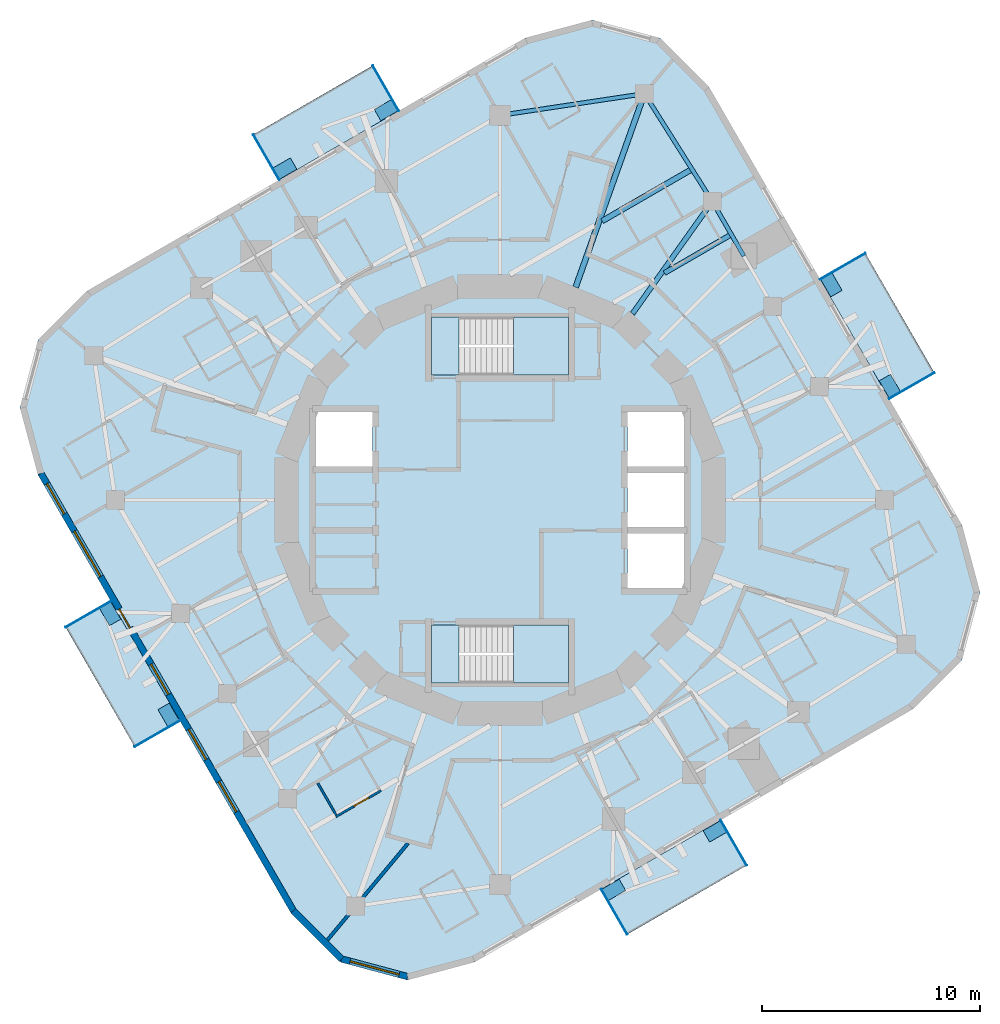
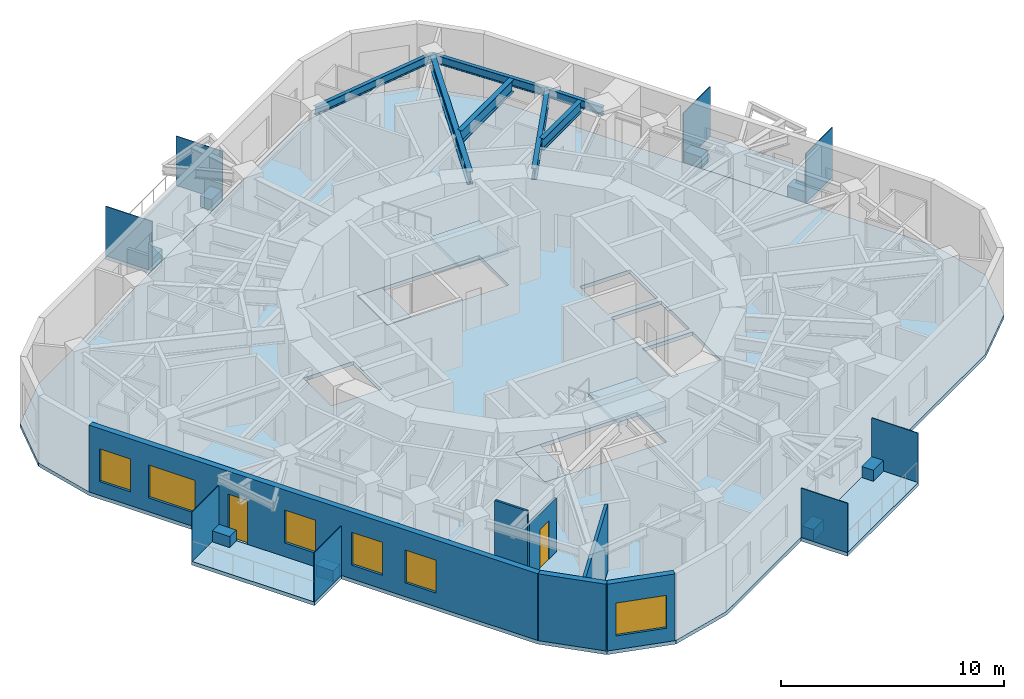
# One storey, part 3 of 11: 16 plates, 9 slabs, 7 beams, 6 walls, 6 windows, 2 doors, 8 openings, 2 elements without a shape of their own.
"""IFC4 building model written with IfcOpenShell, lengths in metres."""

from ifc_helpers import new_model, si_unit, direction, frame, frame_2d, origin, origin_2d, place, context, subcontext, project, spatial, polyline, rectangle, i_section, outline, extrude, material, layer, layer_set, material_profile, profile_set, type_object, element, fill, aggregate, save


model = new_model("IFC4")

# Units and contexts
model_context = context("Model", 3, precision=1e-05, world=origin(), true_north=direction((0.0, 1.0)))
body_context = subcontext(model_context, "Body", "Model", "MODEL_VIEW")
ifc_project = project(units=[si_unit("LENGTHUNIT", "METRE"), si_unit("AREAUNIT", "SQUARE_METRE"), si_unit("VOLUMEUNIT", "CUBIC_METRE"), si_unit("PLANEANGLEUNIT", "RADIAN"), si_unit("MASSUNIT", "GRAM", prefix="KILO")], contexts=[model_context])

# Site, building, storey
site_placement = place(None, origin())
site = spatial("IfcSite", under=ifc_project, at=site_placement, CompositionType="ELEMENT")
building_placement = place(site_placement, origin())
building = spatial("IfcBuilding", under=site, at=building_placement, Name="Nakasero Lantern House", CompositionType="ELEMENT")
storey_placement = place(building_placement, frame((0.0, 0.0, 246.199951171875)))
storey = spatial("IfcBuildingStorey", under=building, at=storey_placement, Name="L60", CompositionType="ELEMENT", Elevation=246.199951171875)

# Beams
ifc_material_1 = material(Name="Steel S355", Category="steel")
ifc_material_profile_1 = material_profile(ifc_material_1, i_section(OverallWidth=0.22900390625, OverallDepth=0.6123046875, WebThickness=0.011962890625, FlangeThickness=0.01953125, FilletRadius=0.0126953125, at=origin_2d()), Name="UB 610x229x125")
ifc_profile_set_1 = profile_set([ifc_material_profile_1], Name="Steel S355")
beam_type_1 = type_object("IfcBeamType", Name="Infill beam UB 610x229x125", PredefinedType="JOIST", material=ifc_profile_set_1)
beam_1_placement = place(storey_placement, frame((7.552001953125, 10.42236328125, 3.343994140625), z_axis=(0.866006607564, 0.500032554596, 0.0), x_axis=(-0.500032554596, 0.866006607564, 0.0)))
element("IfcBeam", 1, at=beam_1_placement, inside=storey, type_object=beam_type_1, Name="Infill beam L61 08.3", PredefinedType="JOIST", context=body_context, shape_type="SweptSolid", body=[
    extrude(i_section(OverallWidth=0.22900390625, OverallDepth=0.6123046875, WebThickness=0.011962890625, FlangeThickness=0.01953125, FilletRadius=0.0126953125, at=origin_2d()), origin(), (0.0, 0.0, 1.0), 3.452880859375),
])
ifc_material_2 = material(Name="Steel S355", Category="steel")
ifc_material_profile_2 = material_profile(ifc_material_2, i_section(OverallWidth=0.253662109375, OverallDepth=0.68359375, WebThickness=0.012451171875, FlangeThickness=0.01904296875, FilletRadius=0.01513671875, at=origin_2d()), Name="UB 686x254x140")
ifc_profile_set_2 = profile_set([ifc_material_profile_2], Name="Steel S355")
beam_type_2 = type_object("IfcBeamType", Name="Infill beam UB 686x254x140", PredefinedType="JOIST", material=ifc_profile_set_2)
beam_2_placement = place(storey_placement, frame((4.691162109375, 12.81201171875, 3.308349609375), z_axis=(0.866030607649, 0.499990986534, 0.0), x_axis=(-0.499990986534, 0.866030607649, 0.0)))
element("IfcBeam", 2, at=beam_2_placement, inside=storey, type_object=beam_type_2, Name="Infill beam L61 09.3", PredefinedType="JOIST", context=body_context, shape_type="SweptSolid", body=[
    extrude(i_section(OverallWidth=0.253662109375, OverallDepth=0.68359375, WebThickness=0.012451171875, FlangeThickness=0.01904296875, FilletRadius=0.01513671875, at=origin_2d()), origin(), (0.0, 0.0, 1.0), 4.66943359375),
])
ifc_material_3 = material(Name="Steel S355", Category="steel")
ifc_material_profile_3 = material_profile(ifc_material_3, i_section(OverallWidth=0.22900390625, OverallDepth=0.6123046875, WebThickness=0.011962890625, FlangeThickness=0.01953125, FilletRadius=0.0126953125, at=origin_2d()), Name="UB 610x229x125")
ifc_profile_set_3 = profile_set([ifc_material_profile_3], Name="Steel S355")
beam_type_3 = type_object("IfcBeamType", Name="Primary beam UB 610x229x125, span 6 to 9 m", PredefinedType="BEAM", material=ifc_profile_set_3)
beam_3_placement = place(storey_placement, frame((9.75048828125, 13.711669921875, 3.343994140625), z_axis=(-0.579504973637, -0.814968702178, 0.0), x_axis=(0.814968702178, -0.579504973637, 0.0)))
element("IfcBeam", 3, at=beam_3_placement, inside=storey, type_object=beam_type_3, Name="Primary beam L61 B6-C07", PredefinedType="BEAM", context=body_context, shape_type="SweptSolid", body=[
    extrude(i_section(OverallWidth=0.22900390625, OverallDepth=0.6123046875, WebThickness=0.011962890625, FlangeThickness=0.01953125, FilletRadius=0.0126953125, at=origin_2d()), origin(), (0.0, 0.0, 1.0), 6.320556640625),
])
ifc_material_4 = material(Name="Steel S355", Category="steel")
ifc_material_profile_4 = material_profile(ifc_material_4, i_section(OverallWidth=0.255859375, OverallDepth=0.69287109375, WebThickness=0.014404296875, FlangeThickness=0.023681640625, FilletRadius=0.01513671875, at=origin_2d()), Name="UB 686x254x170")
ifc_profile_set_4 = profile_set([ifc_material_profile_4], Name="Steel S355")
beam_type_4 = type_object("IfcBeamType", Name="Primary beam UB 686x254x170, span 9 to 12 m", PredefinedType="BEAM", material=ifc_profile_set_4)
beam_4_placement = place(storey_placement, frame((6.63525390625, 18.661376953125, 3.3037109375), z_axis=(-0.335006604588, -0.942215779364, 0.0), x_axis=(0.942215779364, -0.335006604588, 0.0)))
element("IfcBeam", 4, at=beam_4_placement, inside=storey, type_object=beam_type_4, Name="Primary beam L61 B6-C08", PredefinedType="BEAM", context=body_context, shape_type="SweptSolid", body=[
    extrude(i_section(OverallWidth=0.255859375, OverallDepth=0.69287109375, WebThickness=0.014404296875, FlangeThickness=0.023681640625, FilletRadius=0.01513671875, at=origin_2d()), origin(), (0.0, 0.0, 1.0), 9.4345703125),
])
ifc_material_5 = material(Name="Steel S355", Category="steel")
ifc_material_profile_5 = material_profile(ifc_material_5, i_section(OverallWidth=0.18994140625, OverallDepth=0.453369140625, WebThickness=0.008544921875, FlangeThickness=0.0126953125, FilletRadius=0.01025390625, at=origin_2d()), Name="UB 457x191x67")
ifc_profile_set_5 = profile_set([ifc_material_profile_5], Name="Steel S355")
beam_type_5 = type_object("IfcBeamType", Name="Ring beam UB 457x191x67", PredefinedType="BEAM", material=ifc_profile_set_5)
beam_5_placement = place(storey_placement, frame((9.75048828125, 13.711669921875, 3.42333984375), z_axis=(-0.532660471024, 0.846329027393, 0.0), x_axis=(-0.846329027393, -0.532660471024, 0.0)))
element("IfcBeam", 5, at=beam_5_placement, inside=storey, type_object=beam_type_5, Name="Ring beam L61 B6-C07", PredefinedType="BEAM", context=body_context, shape_type="SweptSolid", body=[
    extrude(i_section(OverallWidth=0.18994140625, OverallDepth=0.453369140625, WebThickness=0.008544921875, FlangeThickness=0.0126953125, FilletRadius=0.01025390625, at=origin_2d()), origin(), (0.0, 0.0, 1.0), 5.848388671875),
])
ifc_material_6 = material(Name="Steel S355", Category="steel")
ifc_material_profile_6 = material_profile(ifc_material_6, i_section(OverallWidth=0.19140625, OverallDepth=0.4599609375, WebThickness=0.010009765625, FlangeThickness=0.01611328125, FilletRadius=0.01025390625, at=origin_2d()), Name="UB 457x191x82")
ifc_profile_set_6 = profile_set([ifc_material_profile_6], Name="Steel S355")
beam_type_6 = type_object("IfcBeamType", Name="Ring beam UB 457x191x82", PredefinedType="BEAM", material=ifc_profile_set_6)
beam_6_placement = place(storey_placement, frame((11.200439453125, 11.200439453125, 3.420166015625), z_axis=(-0.500023687443, 0.866011727401, 0.0), x_axis=(-0.866011727401, -0.500023687443, 0.0)))
element("IfcBeam", 6, at=beam_6_placement, inside=storey, type_object=beam_type_6, Name="Ring beam L61 B6-C06", PredefinedType="BEAM", context=body_context, shape_type="SweptSolid", body=[
    extrude(i_section(OverallWidth=0.19140625, OverallDepth=0.4599609375, WebThickness=0.010009765625, FlangeThickness=0.01611328125, FilletRadius=0.01025390625, at=origin_2d()), origin(), (0.0, 0.0, 1.0), 2.899658203125),
])
beam_7_placement = place(storey_placement, frame((6.63525390625, 18.661376953125, 3.420166015625), z_axis=(-0.988956095107, -0.148208778253, 0.0), x_axis=(0.148208778253, -0.988956095107, 0.0)))
element("IfcBeam", 7, at=beam_7_placement, inside=storey, type_object=beam_type_6, Name="Ring beam L61 B6-C08", PredefinedType="BEAM", context=body_context, shape_type="SweptSolid", body=[
    extrude(i_section(OverallWidth=0.19140625, OverallDepth=0.4599609375, WebThickness=0.010009765625, FlangeThickness=0.01611328125, FilletRadius=0.01025390625, at=origin_2d()), origin(), (0.0, 0.0, 1.0), 6.70947265625),
])

# Plates
ifc_material_7 = material(Name="Aluminium 6063-T6", Category="aluminium")
ifc_layer_1 = layer(ifc_material_7, 0.60009765625)
ifc_layer_set_1 = layer_set([ifc_layer_1], Name="Balcony planter 600x900")
plate_type_1 = type_object("IfcPlateType", Name="Balcony planter 600x900", PredefinedType="USERDEFINED", material=ifc_layer_set_1)
for number, where, z_axis, x_axis, name in (
    (8, (17.901611328125, 5.2333984375, 0.0), (0.0, 0.0, 1.0), (0.866025403784, 0.5, 0.0), "Balcony PLANTER L60 BAL0A"),
    (9, (15.225830078125, 9.867919921875, 0.0), (0.0, 0.0, 1.0), (0.866025403784, 0.5, 0.0), "Balcony PLANTER L60 BAL0B"),
    (10, (-5.2333984375, 17.901611328125, 0.0), (0.0, 0.0, 1.0), (-0.5, 0.866025403784, 0.0), "Balcony PLANTER L60 BAL1A"),
    (11, (-9.867919921875, 15.225830078125, 0.0), (0.0, 0.0, 1.0), (-0.5, 0.866025403784, 0.0), "Balcony PLANTER L60 BAL1B"),
    (12, (-17.901611328125, -5.2333984375, 0.0), (0.0, 0.0, 1.0), (-0.866025403784, -0.5, 0.0), "Balcony PLANTER L60 BAL2A"),
    (13, (-15.225830078125, -9.867919921875, 0.0), (0.0, 0.0, 1.0), (-0.866025403784, -0.5, 0.0), "Balcony PLANTER L60 BAL2B"),
    (14, (5.2333984375, -17.901611328125, 0.0), (0.0, 0.0, 1.0), (0.5, -0.866025403784, 0.0), "Balcony PLANTER L60 BAL3A"),
    (15, (9.867919921875, -15.225830078125, 0.0), (0.0, 0.0, 1.0), (0.5, -0.866025403784, 0.0), "Balcony PLANTER L60 BAL3B"),
):
    element("IfcPlate", number, at=place(storey_placement, frame(where, z_axis=z_axis, x_axis=x_axis)), inside=storey, type_object=plate_type_1, Name=name, ObjectType="PLANTER", PredefinedType="USERDEFINED", context=body_context, shape_type="SweptSolid", body=[
        extrude(rectangle(XDim=0.60009765625, YDim=0.89990234375, at=origin_2d()), origin(), (0.0, 0.0, 1.0), 0.60009765625),
    ])
ifc_material_8 = material(Name="Aluminium 6063-T6", Category="aluminium")
ifc_layer_2 = layer(ifc_material_8, 0.0400390625)
ifc_layer_set_2 = layer_set([ifc_layer_2], Name="Balcony screen 2400x2700")
plate_type_2 = type_object("IfcPlateType", Name="Balcony screen 2400x2700", PredefinedType="SHEET", material=ifc_layer_set_2)
for number, where, z_axis, x_axis, name in (
    (16, (18.90869140625, 5.2490234375, 0.0), (0.0, 0.0, 1.0), (0.866025403784, 0.5, 0.0), "Balcony SCREEN L60 BAL0A"),
    (17, (15.7431640625, 10.732177734375, 0.0), (0.0, 0.0, 1.0), (0.866025403784, 0.5, 0.0), "Balcony SCREEN L60 BAL0B"),
    (18, (-5.2490234375, 18.90869140625, 0.0), (0.0, 0.0, 1.0), (-0.5, 0.866025403784, 0.0), "Balcony SCREEN L60 BAL1A"),
    (19, (-10.732177734375, 15.7431640625, 0.0), (0.0, 0.0, 1.0), (-0.5, 0.866025403784, 0.0), "Balcony SCREEN L60 BAL1B"),
    (20, (-18.90869140625, -5.2490234375, 0.0), (0.0, 0.0, 1.0), (-0.866025403784, -0.5, 0.0), "Balcony SCREEN L60 BAL2A"),
    (21, (-15.7431640625, -10.732177734375, 0.0), (0.0, 0.0, 1.0), (-0.866025403784, -0.5, 0.0), "Balcony SCREEN L60 BAL2B"),
    (22, (5.2490234375, -18.90869140625, 0.0), (0.0, 0.0, 1.0), (0.5, -0.866025403784, 0.0), "Balcony SCREEN L60 BAL3A"),
    (23, (10.732177734375, -15.7431640625, 0.0), (0.0, 0.0, 1.0), (0.5, -0.866025403784, 0.0), "Balcony SCREEN L60 BAL3B"),
):
    element("IfcPlate", number, at=place(storey_placement, frame(where, z_axis=z_axis, x_axis=x_axis)), inside=storey, type_object=plate_type_2, Name=name, PredefinedType="SHEET", context=body_context, shape_type="SweptSolid", body=[
        extrude(rectangle(XDim=2.39990234375, YDim=0.0400390625, at=origin_2d()), origin(), (0.0, 0.0, 1.0), 2.699951171875),
    ])

# Slabs
ifc_material_9 = material(Name="Concrete C35/45", Category="concrete")
ifc_layer_3 = layer(ifc_material_9, 0.199951171875)
ifc_layer_set_3 = layer_set([ifc_layer_3], Name="Balcony slab 200")
slab_type_1 = type_object("IfcSlabType", Name="Balcony slab 200", PredefinedType="USERDEFINED", material=ifc_layer_set_3)
slab_1_placement = place(storey_placement, frame((0.0, 0.0, -0.199951171875)))
element("IfcSlab", 24, at=slab_1_placement, inside=storey, type_object=slab_type_1, Name="Balcony L60 BAL0", ObjectType="BALCONY", PredefinedType="USERDEFINED", context=body_context, shape_type="SweptSolid", body=[
    extrude(outline(polyline([(17.879638671875, 4.6318359375), (19.9580078125, 5.831787109375), (16.772216796875, 11.349609375), (14.69384765625, 10.149658203125), (17.879638671875, 4.6318359375)])), origin(), (0.0, 0.0, 1.0), 0.199951171875),
])
slab_2_placement = place(storey_placement, frame((0.0, 0.0, -0.199951171875)))
element("IfcSlab", 25, at=slab_2_placement, inside=storey, type_object=slab_type_1, Name="Balcony L60 BAL1", ObjectType="BALCONY", PredefinedType="USERDEFINED", context=body_context, shape_type="SweptSolid", body=[
    extrude(outline(polyline([(-4.6318359375, 17.879638671875), (-5.831787109375, 19.9580078125), (-11.349609375, 16.772216796875), (-10.149658203125, 14.69384765625), (-4.6318359375, 17.879638671875)])), origin(), (0.0, 0.0, 1.0), 0.199951171875),
])
slab_3_placement = place(storey_placement, frame((0.0, 0.0, -0.199951171875)))
element("IfcSlab", 26, at=slab_3_placement, inside=storey, type_object=slab_type_1, Name="Balcony L60 BAL2", ObjectType="BALCONY", PredefinedType="USERDEFINED", context=body_context, shape_type="SweptSolid", body=[
    extrude(outline(polyline([(-17.879638671875, -4.6318359375), (-19.9580078125, -5.831787109375), (-16.772216796875, -11.349609375), (-14.69384765625, -10.149658203125), (-17.879638671875, -4.6318359375)])), origin(), (0.0, 0.0, 1.0), 0.199951171875),
])
slab_4_placement = place(storey_placement, frame((0.0, 0.0, -0.199951171875)))
element("IfcSlab", 27, at=slab_4_placement, inside=storey, type_object=slab_type_1, Name="Balcony L60 BAL3", ObjectType="BALCONY", PredefinedType="USERDEFINED", context=body_context, shape_type="SweptSolid", body=[
    extrude(outline(polyline([(4.6318359375, -17.879638671875), (5.831787109375, -19.9580078125), (11.349609375, -16.772216796875), (10.149658203125, -14.69384765625), (4.6318359375, -17.879638671875)])), origin(), (0.0, 0.0, 1.0), 0.199951171875),
])
ifc_material_10 = material(Name="Concrete C35/45", Category="concrete")
ifc_layer_4 = layer(ifc_material_10, 0.199951171875)
ifc_layer_set_4 = layer_set([ifc_layer_4], Name="Composite floor slab 200")
slab_type_2 = type_object("IfcSlabType", Name="Composite floor slab 200", PredefinedType="FLOOR", material=ifc_layer_set_4)
slab_5_placement = place(storey_placement, frame((0.0, 0.0, -0.199951171875)))
element("IfcSlab", 28, at=slab_5_placement, inside=storey, type_object=slab_type_2, Name="Floor slab L60", PredefinedType="FLOOR", context=body_context, shape_type="SweptSolid", body=[
    extrude(outline(polyline([(9.615234375, 18.94580078125), (7.345947265625, 21.21533203125), (4.245849609375, 22.0458984375), (1.14599609375, 21.21533203125), (-18.94580078125, 9.615234375), (-21.21533203125, 7.345947265625), (-22.0458984375, 4.245849609375), (-21.21533203125, 1.14599609375), (-9.615234375, -18.94580078125), (-7.345947265625, -21.21533203125), (-4.245849609375, -22.0458984375), (-1.14599609375, -21.21533203125), (18.94580078125, -9.615234375), (21.21533203125, -7.345947265625), (22.0458984375, -4.245849609375), (21.21533203125, -1.14599609375), (9.615234375, 18.94580078125)]), holes=[polyline([(-8.449951171875, 1.550048828125), (-5.85009765625, 1.550048828125), (-5.85009765625, 4.050048828125), (-8.449951171875, 4.050048828125), (-8.449951171875, 1.550048828125)]), polyline([(5.85009765625, -4.050048828125), (8.449951171875, -4.050048828125), (8.449951171875, -1.550048828125), (5.85009765625, -1.550048828125), (5.85009765625, -4.050048828125)]), polyline([(5.85009765625, -1.25), (8.449951171875, -1.25), (8.449951171875, 1.25), (5.85009765625, 1.25), (5.85009765625, -1.25)]), polyline([(5.85009765625, 1.550048828125), (8.449951171875, 1.550048828125), (8.449951171875, 4.050048828125), (5.85009765625, 4.050048828125), (5.85009765625, 1.550048828125)]), polyline([(-3.14990234375, 5.75), (3.14990234375, 5.75), (3.14990234375, 8.39990234375), (-3.14990234375, 8.39990234375), (-3.14990234375, 5.75)]), polyline([(-3.14990234375, -8.39990234375), (3.14990234375, -8.39990234375), (3.14990234375, -5.75), (-3.14990234375, -5.75), (-3.14990234375, -8.39990234375)])]), origin(), (0.0, 0.0, 1.0), 0.199951171875),
])

# Stair, slabs
ifc_material_11 = material(Name="Concrete C40/50", Category="concrete")
stair_type_1 = type_object("IfcStairType", Name="Escape stair ST1 22 risers", PredefinedType="HALF_TURN_STAIR", material=ifc_material_11)
stair_1_placement = place(storey_placement, origin())
stair_1 = element("IfcStair", 29, at=stair_1_placement, inside=storey, type_object=stair_type_1, Name="Escape stair ST1 L60", PredefinedType="HALF_TURN_STAIR")
ifc_material_12 = material(Name="Concrete C40/50", Category="concrete")
ifc_layer_5 = layer(ifc_material_12, 0.199951171875)
ifc_layer_set_5 = layer_set([ifc_layer_5], Name="Stair landing 200")
slab_type_3 = type_object("IfcSlabType", Name="Stair landing 200", PredefinedType="LANDING", material=ifc_layer_set_5)
slab_6_placement = place(storey_placement, frame((0.0, 0.0, -0.199951171875)))
slab_6 = element("IfcSlab", 30, at=slab_6_placement, type_object=slab_type_3, Name="ST1 landing 1", PredefinedType="LANDING", context=body_context, shape_type="SweptSolid", body=[
    extrude(outline(polyline([(-3.14990234375, 5.75), (-1.875, 5.75), (-1.875, 8.39990234375), (-3.14990234375, 8.39990234375), (-3.14990234375, 5.75)])), origin(), (0.0, 0.0, 1.0), 0.199951171875),
])
slab_7_placement = place(storey_placement, frame((0.0, 0.0, 1.72509765625)))
slab_7 = element("IfcSlab", 31, at=slab_7_placement, type_object=slab_type_3, Name="ST1 landing 2", PredefinedType="LANDING", context=body_context, shape_type="SweptSolid", body=[
    extrude(outline(polyline([(0.625, 5.75), (3.14990234375, 5.75), (3.14990234375, 8.39990234375), (0.625, 8.39990234375), (0.625, 5.75)])), origin(), (0.0, 0.0, 1.0), 0.199951171875),
])
aggregate(stair_1, [slab_6, slab_7])

ifc_material_13 = material(Name="Concrete C40/50", Category="concrete")
stair_type_2 = type_object("IfcStairType", Name="Escape stair ST2 22 risers", PredefinedType="HALF_TURN_STAIR", material=ifc_material_13)
stair_2_placement = place(storey_placement, origin())
stair_2 = element("IfcStair", 32, at=stair_2_placement, inside=storey, type_object=stair_type_2, Name="Escape stair ST2 L60", PredefinedType="HALF_TURN_STAIR")
slab_8_placement = place(storey_placement, frame((0.0, 0.0, -0.199951171875)))
slab_8 = element("IfcSlab", 33, at=slab_8_placement, type_object=slab_type_3, Name="ST2 landing 1", PredefinedType="LANDING", context=body_context, shape_type="SweptSolid", body=[
    extrude(outline(polyline([(-3.14990234375, -8.39990234375), (-1.875, -8.39990234375), (-1.875, -5.75), (-3.14990234375, -5.75), (-3.14990234375, -8.39990234375)])), origin(), (0.0, 0.0, 1.0), 0.199951171875),
])
slab_9_placement = place(storey_placement, frame((0.0, 0.0, 1.72509765625)))
slab_9 = element("IfcSlab", 34, at=slab_9_placement, type_object=slab_type_3, Name="ST2 landing 2", PredefinedType="LANDING", context=body_context, shape_type="SweptSolid", body=[
    extrude(outline(polyline([(0.625, -8.39990234375), (3.14990234375, -8.39990234375), (3.14990234375, -5.75), (0.625, -5.75), (0.625, -8.39990234375)])), origin(), (0.0, 0.0, 1.0), 0.199951171875),
])
aggregate(stair_2, [slab_8, slab_9])

# Wall, opening, door
ifc_material_14 = material(Name="Blockwork", Category="masonry")
ifc_layer_6 = layer(ifc_material_14, 0.10009765625)
ifc_layer_set_6 = layer_set([ifc_layer_6], Name="En-suite wall 100")
wall_type_1 = type_object("IfcWallType", Name="En-suite wall 100", PredefinedType="PARTITIONING", material=ifc_layer_set_6)
wall_1_placement = place(storey_placement, frame((-5.46044921875, -13.342041015625, 0.0), z_axis=(0.0, 0.0, 1.0), x_axis=(-0.866006032174, -0.500033551112, 0.0)))
wall_1 = element("IfcWall", 35, at=wall_1_placement, inside=storey, type_object=wall_type_1, Name="En-suite wall L60 ES2-06", PredefinedType="PARTITIONING", context=body_context, shape_type="SweptSolid", body=[
    extrude(rectangle(XDim=2.400146484375, YDim=0.10009765625, at=frame_2d((1.2001953125, 0.0))), origin(), (0.0, 0.0, 1.0), 2.966552734375),
])
opening_1_placement = place(wall_1_placement, frame((0.64990234375, 0.0, 0.0)))
opening_1 = element("IfcOpeningElement", 36, at=opening_1_placement, cuts=wall_1, Name="Opening D02", PredefinedType="OPENING", context=body_context, shape_type="SweptSolid", body=[
    extrude(rectangle(XDim=0.800048828125, YDim=2.10009765625, at=frame_2d((0.39990234375, 1.050048828125))), frame((0.0, 0.070068359375, 0.0), z_axis=(0.0, -1.0, 0.0), x_axis=(1.0, 0.0, 0.0)), (0.0, 0.0, 1.0), 0.14013671875),
])
ifc_material_15 = material(Name="Timber C24", Category="wood")
door_type_1 = type_object("IfcDoorType", Name="En-suite door 800", OperationType="SINGLE_SWING_RIGHT", PredefinedType="DOOR", material=ifc_material_15)
door_1_placement = place(opening_1_placement, origin())
door_1 = element("IfcDoor", 37, at=door_1_placement, inside=storey, type_object=door_type_1, Name="Door L60 DE2-06", OperationType="SINGLE_SWING_LEFT", OverallHeight=2.10009765625, OverallWidth=0.800048828125, PredefinedType="DOOR", context=body_context, shape_type="SweptSolid", body=[
    extrude(rectangle(XDim=0.800048828125, YDim=2.10009765625, at=frame_2d((0.39990234375, 1.050048828125))), frame((0.0, 0.02490234375, 0.0), z_axis=(0.0, -1.0, 0.0), x_axis=(1.0, 0.0, 0.0)), (0.0, 0.0, 1.0), 0.050048828125),
])
fill(opening_1, door_1)

# Wall
wall_2_placement = place(storey_placement, frame((-8.37060546875, -13.001708984375, 0.0), z_axis=(0.0, 0.0, 1.0), x_axis=(0.499954529098, -0.86605165483, 0.0)))
element("IfcWall", 38, at=wall_2_placement, inside=storey, type_object=wall_type_1, Name="En-suite wall L60 EE2-06", PredefinedType="PARTITIONING", context=body_context, shape_type="SweptSolid", body=[
    extrude(rectangle(XDim=1.699951171875, YDim=0.10009765625, at=frame_2d((0.85009765625, 0.0))), origin(), (0.0, 0.0, 1.0), 3.650146484375),
])

# Wall, openings, door, windows
ifc_material_16 = material(Name="Aluminium rainscreen on blockwork", Category="masonry")
ifc_layer_7 = layer(ifc_material_16, 0.300048828125)
ifc_layer_set_7 = layer_set([ifc_layer_7], Name="Facade wall 300")
wall_type_2 = type_object("IfcWallType", Name="Facade wall 300", PredefinedType="SOLIDWALL", material=ifc_layer_set_7)
wall_3_placement = place(storey_placement, frame((-21.08544921875, 1.220947265625, 0.0), z_axis=(0.0, 0.0, 1.0), x_axis=(0.500003016864, -0.86602366199, 0.0)))
wall_3 = element("IfcWall", 39, at=wall_3_placement, inside=storey, type_object=wall_type_2, Name="Facade wall L60 FW2S", PredefinedType="SOLIDWALL", context=body_context, shape_type="SweptSolid", body=[
    extrude(rectangle(XDim=23.199951171875, YDim=0.300048828125, at=frame_2d((11.60009765625, 0.0))), origin(), (0.0, 0.0, 1.0), 3.650146484375),
])
opening_2_placement = place(wall_3_placement, frame((0.5458984375, 0.0, 0.75)))
opening_2 = element("IfcOpeningElement", 40, at=opening_2_placement, cuts=wall_3, Name="Opening W01", PredefinedType="OPENING", context=body_context, shape_type="SweptSolid", body=[
    extrude(rectangle(XDim=1.60009765625, YDim=1.800048828125, at=frame_2d((0.800048828125, 0.89990234375))), frame((0.0, 0.169921875, 0.0), z_axis=(0.0, -1.0, 0.0), x_axis=(1.0, 0.0, 0.0)), (0.0, 0.0, 1.0), 0.340087890625),
])
opening_3_placement = place(wall_3_placement, frame((10.11767578125, 0.0, 0.75)))
opening_3 = element("IfcOpeningElement", 41, at=opening_3_placement, cuts=wall_3, Name="Opening W01", PredefinedType="OPENING", context=body_context, shape_type="SweptSolid", body=[
    extrude(rectangle(XDim=1.60009765625, YDim=1.800048828125, at=frame_2d((0.800048828125, 0.89990234375))), frame((0.0, 0.169921875, 0.0), z_axis=(0.0, -1.0, 0.0), x_axis=(1.0, 0.0, 0.0)), (0.0, 0.0, 1.0), 0.340087890625),
])
opening_4_placement = place(wall_3_placement, frame((13.5751953125, 0.0, 0.75)))
opening_4 = element("IfcOpeningElement", 42, at=opening_4_placement, cuts=wall_3, Name="Opening W01", PredefinedType="OPENING", context=body_context, shape_type="SweptSolid", body=[
    extrude(rectangle(XDim=1.60009765625, YDim=1.800048828125, at=frame_2d((0.800048828125, 0.89990234375))), frame((0.0, 0.169921875, 0.0), z_axis=(0.0, -1.0, 0.0), x_axis=(1.0, 0.0, 0.0)), (0.0, 0.0, 1.0), 0.340087890625),
])
opening_5_placement = place(wall_3_placement, frame((16.349609375, 0.0, 0.75)))
opening_5 = element("IfcOpeningElement", 43, at=opening_5_placement, cuts=wall_3, Name="Opening W01", PredefinedType="OPENING", context=body_context, shape_type="SweptSolid", body=[
    extrude(rectangle(XDim=1.60009765625, YDim=1.800048828125, at=frame_2d((0.800048828125, 0.89990234375))), frame((0.0, 0.169921875, 0.0), z_axis=(0.0, -1.0, 0.0), x_axis=(1.0, 0.0, 0.0)), (0.0, 0.0, 1.0), 0.340087890625),
])
opening_6_placement = place(wall_3_placement, frame((3.071044921875, 0.0, 0.75)))
opening_6 = element("IfcOpeningElement", 44, at=opening_6_placement, cuts=wall_3, Name="Opening W03", PredefinedType="OPENING", context=body_context, shape_type="SweptSolid", body=[
    extrude(rectangle(XDim=2.39990234375, YDim=1.800048828125, at=frame_2d((1.199951171875, 0.89990234375))), frame((0.0, 0.169921875, 0.0), z_axis=(0.0, -1.0, 0.0), x_axis=(1.0, 0.0, 0.0)), (0.0, 0.0, 1.0), 0.340087890625),
])
opening_7_placement = place(wall_3_placement, frame((7.1904296875, 0.0, 0.0)))
opening_7 = element("IfcOpeningElement", 45, at=opening_7_placement, cuts=wall_3, Name="Opening D04", PredefinedType="OPENING", context=body_context, shape_type="SweptSolid", body=[
    extrude(rectangle(XDim=1.0, YDim=2.39990234375, at=frame_2d((0.5, 1.199951171875))), frame((0.0, 0.169921875, 0.0), z_axis=(0.0, -1.0, 0.0), x_axis=(1.0, 0.0, 0.0)), (0.0, 0.0, 1.0), 0.340087890625),
])
ifc_material_17 = material(Name="Aluminium 6063-T6 and glass", Category="aluminium")
door_type_2 = type_object("IfcDoorType", Name="Balcony door 1000x2400", OperationType="SINGLE_SWING_RIGHT", PredefinedType="DOOR", material=ifc_material_17)
door_2_placement = place(opening_7_placement, origin())
door_2 = element("IfcDoor", 46, at=door_2_placement, inside=storey, type_object=door_type_2, Name="Balcony door L60 DB2", OperationType="SINGLE_SWING_RIGHT", OverallHeight=2.39990234375, OverallWidth=1.0, PredefinedType="DOOR", context=body_context, shape_type="SweptSolid", body=[
    extrude(rectangle(XDim=1.0, YDim=2.39990234375, at=frame_2d((0.5, 1.199951171875))), frame((0.0, 0.02490234375, 0.0), z_axis=(0.0, -1.0, 0.0), x_axis=(1.0, 0.0, 0.0)), (0.0, 0.0, 1.0), 0.050048828125),
])
fill(opening_7, door_2)
ifc_material_18 = material(Name="Aluminium 6063-T6 and glass", Category="aluminium")
window_type_1 = type_object("IfcWindowType", Name="Bedroom window 1600x1800", PartitioningType="SINGLE_PANEL", PredefinedType="WINDOW", material=ifc_material_18)
window_1_placement = place(opening_2_placement, origin())
window_1 = element("IfcWindow", 47, at=window_1_placement, inside=storey, type_object=window_type_1, Name="Window L60 WN2-00", OverallHeight=1.800048828125, OverallWidth=1.60009765625, PartitioningType="SINGLE_PANEL", PredefinedType="WINDOW", context=body_context, shape_type="SweptSolid", body=[
    extrude(rectangle(XDim=1.60009765625, YDim=1.800048828125, at=frame_2d((0.800048828125, 0.89990234375))), frame((0.0, 0.030029296875, 0.0), z_axis=(0.0, -1.0, 0.0), x_axis=(1.0, 0.0, 0.0)), (0.0, 0.0, 1.0), 0.06005859375),
])
fill(opening_2, window_1)
window_2_placement = place(opening_3_placement, origin())
window_2 = element("IfcWindow", 48, at=window_2_placement, inside=storey, type_object=window_type_1, Name="Window L60 WN2-03", OverallHeight=1.800048828125, OverallWidth=1.60009765625, PartitioningType="SINGLE_PANEL", PredefinedType="WINDOW", context=body_context, shape_type="SweptSolid", body=[
    extrude(rectangle(XDim=1.60009765625, YDim=1.800048828125, at=frame_2d((0.800048828125, 0.89990234375))), frame((0.0, 0.030029296875, 0.0), z_axis=(0.0, -1.0, 0.0), x_axis=(1.0, 0.0, 0.0)), (0.0, 0.0, 1.0), 0.06005859375),
])
fill(opening_3, window_2)
window_3_placement = place(opening_4_placement, origin())
window_3 = element("IfcWindow", 49, at=window_3_placement, inside=storey, type_object=window_type_1, Name="Window L60 WN2-04", OverallHeight=1.800048828125, OverallWidth=1.60009765625, PartitioningType="SINGLE_PANEL", PredefinedType="WINDOW", context=body_context, shape_type="SweptSolid", body=[
    extrude(rectangle(XDim=1.60009765625, YDim=1.800048828125, at=frame_2d((0.800048828125, 0.89990234375))), frame((0.0, 0.030029296875, 0.0), z_axis=(0.0, -1.0, 0.0), x_axis=(1.0, 0.0, 0.0)), (0.0, 0.0, 1.0), 0.06005859375),
])
fill(opening_4, window_3)
window_4_placement = place(opening_5_placement, origin())
window_4 = element("IfcWindow", 50, at=window_4_placement, inside=storey, type_object=window_type_1, Name="Window L60 WN2-05", OverallHeight=1.800048828125, OverallWidth=1.60009765625, PartitioningType="SINGLE_PANEL", PredefinedType="WINDOW", context=body_context, shape_type="SweptSolid", body=[
    extrude(rectangle(XDim=1.60009765625, YDim=1.800048828125, at=frame_2d((0.800048828125, 0.89990234375))), frame((0.0, 0.030029296875, 0.0), z_axis=(0.0, -1.0, 0.0), x_axis=(1.0, 0.0, 0.0)), (0.0, 0.0, 1.0), 0.06005859375),
])
fill(opening_5, window_4)
ifc_material_19 = material(Name="Aluminium 6063-T6 and glass", Category="aluminium")
window_type_2 = type_object("IfcWindowType", Name="Lounge window 2400x1800", PartitioningType="SINGLE_PANEL", PredefinedType="WINDOW", material=ifc_material_19)
window_5_placement = place(opening_6_placement, origin())
window_5 = element("IfcWindow", 51, at=window_5_placement, inside=storey, type_object=window_type_2, Name="Window L60 WK2", OverallHeight=1.800048828125, OverallWidth=2.39990234375, PartitioningType="SINGLE_PANEL", PredefinedType="WINDOW", context=body_context, shape_type="SweptSolid", body=[
    extrude(rectangle(XDim=2.39990234375, YDim=1.800048828125, at=frame_2d((1.199951171875, 0.89990234375))), frame((0.0, 0.030029296875, 0.0), z_axis=(0.0, -1.0, 0.0), x_axis=(1.0, 0.0, 0.0)), (0.0, 0.0, 1.0), 0.06005859375),
])
fill(opening_6, window_5)

# Wall
wall_4_placement = place(storey_placement, frame((-9.4853515625, -18.870849609375, 0.0), z_axis=(0.0, 0.0, 1.0), x_axis=(0.707067801733, -0.707145758492, 0.0)))
element("IfcWall", 52, at=wall_4_placement, inside=storey, type_object=wall_type_2, Name="Facade wall L60 FW2C1", PredefinedType="SOLIDWALL", context=body_context, shape_type="SweptSolid", body=[
    extrude(rectangle(XDim=3.1318359375, YDim=0.300048828125, at=frame_2d((1.56591796875, 0.0))), origin(), (0.0, 0.0, 1.0), 3.650146484375),
])

# Wall, opening, window
wall_5_placement = place(storey_placement, frame((-7.27099609375, -21.08544921875, 0.0), z_axis=(0.0, 0.0, 1.0), x_axis=(0.965928914048, -0.258807521156, 0.0)))
wall_5 = element("IfcWall", 53, at=wall_5_placement, inside=storey, type_object=wall_type_2, Name="Facade wall L60 FW2C2", PredefinedType="SOLIDWALL", context=body_context, shape_type="SweptSolid", body=[
    extrude(rectangle(XDim=3.1318359375, YDim=0.300048828125, at=frame_2d((1.56591796875, 0.0))), origin(), (0.0, 0.0, 1.0), 3.650146484375),
])
opening_8_placement = place(wall_5_placement, frame((0.39990234375, 0.0, 0.75)))
opening_8 = element("IfcOpeningElement", 54, at=opening_8_placement, cuts=wall_5, Name="Opening W223", PredefinedType="OPENING", context=body_context, shape_type="SweptSolid", body=[
    extrude(rectangle(XDim=2.33203125, YDim=1.800048828125, at=frame_2d((1.166015625, 0.89990234375))), frame((0.0, 0.169921875, 0.0), z_axis=(0.0, -1.0, 0.0), x_axis=(1.0, 0.0, 0.0)), (0.0, 0.0, 1.0), 0.340087890625),
])
ifc_material_20 = material(Name="Aluminium 6063-T6 and glass", Category="aluminium")
window_type_3 = type_object("IfcWindowType", Name="Corner window 2332x1800", PartitioningType="SINGLE_PANEL", PredefinedType="WINDOW", material=ifc_material_20)
window_6_placement = place(opening_8_placement, origin())
window_6 = element("IfcWindow", 55, at=window_6_placement, inside=storey, type_object=window_type_3, Name="Window L60 WC2", OverallHeight=1.800048828125, OverallWidth=2.33203125, PartitioningType="SINGLE_PANEL", PredefinedType="WINDOW", context=body_context, shape_type="SweptSolid", body=[
    extrude(rectangle(XDim=2.33203125, YDim=1.800048828125, at=frame_2d((1.166015625, 0.89990234375))), frame((0.0, 0.030029296875, 0.0), z_axis=(0.0, -1.0, 0.0), x_axis=(1.0, 0.0, 0.0)), (0.0, 0.0, 1.0), 0.06005859375),
])
fill(opening_8, window_6)

# Wall
ifc_material_21 = material(Name="Blockwork", Category="masonry")
ifc_layer_8 = layer(ifc_material_21, 0.14990234375)
ifc_layer_set_8 = layer_set([ifc_layer_8], Name="Party wall 150")
wall_type_3 = type_object("IfcWallType", Name="Party wall 150", PredefinedType="PARTITIONING", material=ifc_layer_set_8)
wall_6_placement = place(storey_placement, frame((-4.224853515625, -15.767578125, 0.0), z_axis=(0.0, 0.0, 1.0), x_axis=(-0.639993357533, -0.768380441131, 0.0)))
element("IfcWall", 56, at=wall_6_placement, inside=storey, type_object=wall_type_3, Name="Party wall L60 PW3-00", PredefinedType="PARTITIONING", context=body_context, shape_type="SweptSolid", body=[
    extrude(rectangle(XDim=5.78271484375, YDim=0.14990234375, at=frame_2d((2.891357421875, 0.0))), origin(), (0.0, 0.0, 1.0), 3.650146484375),
])

save(model, "model.ifc")
